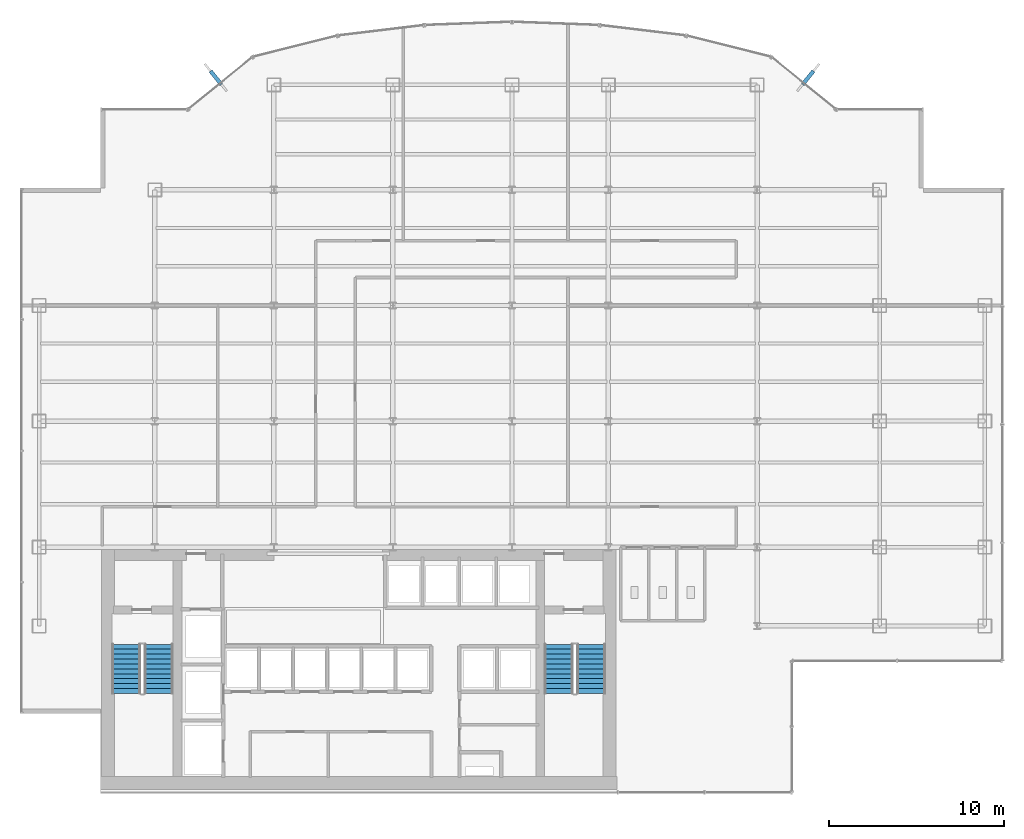
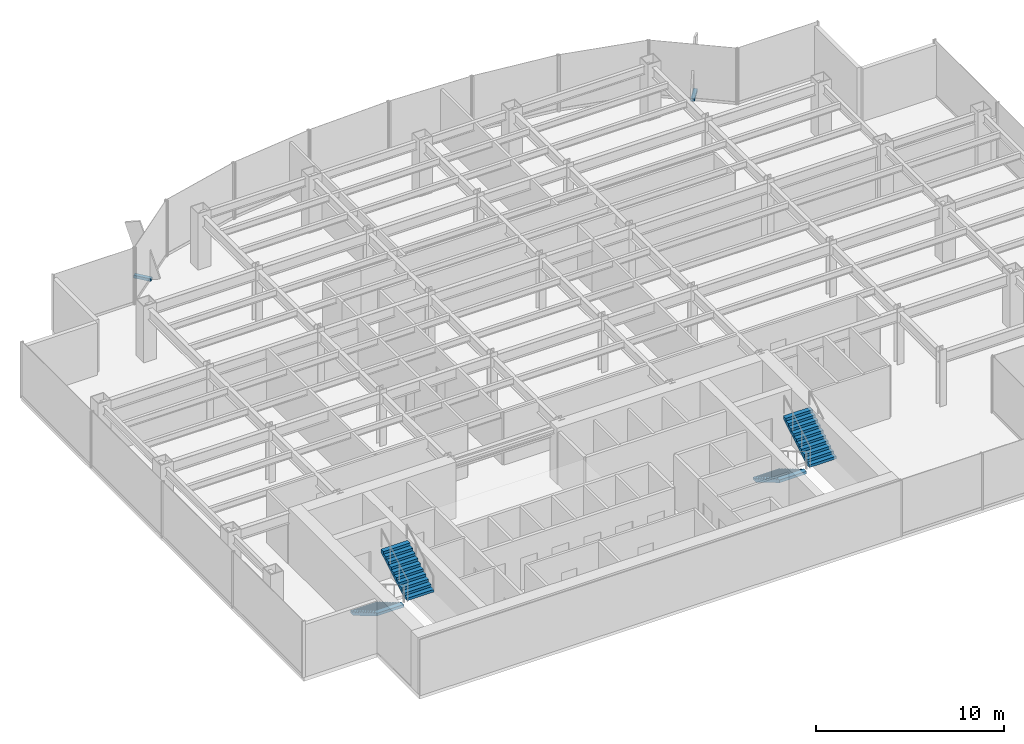
# One storey, part 23 of 26: 4 stair flights, 2 discrete accessories, 2 elements without a shape of their own.
"""IFC4 building model written with IfcOpenShell, lengths in metres."""

from ifc_helpers import new_model, si_unit, derived_unit, direction, frame, origin, origin_2d, place, context, subcontext, project, spatial, polyline, rectangle, outline, extrude, source, transform, mapped, material, type_object, element, aggregate, save


model = new_model("IFC4")

# Units and contexts
model_context = context("Model", 3, precision=1e-05, world=origin(), true_north=direction((0.0, 1.0)))
body_context = subcontext(model_context, "Body", "Model", "MODEL_VIEW")
ifc_project = project(units=[si_unit("LENGTHUNIT", "METRE"), si_unit("AREAUNIT", "SQUARE_METRE"), si_unit("VOLUMEUNIT", "CUBIC_METRE"), si_unit("PLANEANGLEUNIT", "RADIAN"), si_unit("MASSUNIT", "GRAM", prefix="KILO"), derived_unit("THERMALTRANSMITTANCEUNIT", [(si_unit("POWERUNIT", "WATT"), 1), (si_unit("LENGTHUNIT", "METRE"), -2), (si_unit("THERMODYNAMICTEMPERATUREUNIT", "KELVIN"), -1)])], contexts=[model_context])

# Site, building, storey
site_placement = place(None, origin())
site = spatial("IfcSite", under=ifc_project, at=site_placement, CompositionType="ELEMENT")
building_placement = place(site_placement, origin())
building = spatial("IfcBuilding", under=site, at=building_placement, Name="Skarnbrae Concourse Arena and Tower", CompositionType="ELEMENT")
storey_placement = place(building_placement, frame((0.0, 0.0, 110.550048828125)))
storey = spatial("IfcBuildingStorey", under=building, at=storey_placement, Name="L27", CompositionType="ELEMENT", Elevation=110.550048828125)

# Stair, stair flights
ifc_material_1 = material(Name="Concrete 40 MPa (C40/50)", Category="concrete")
stair_type = type_object("IfcStairType", Name="STAIR-DOGLEG-1650", PredefinedType="HALF_TURN_STAIR", material=ifc_material_1)
stair_1_placement = place(storey_placement, origin())
stair_1 = element("IfcStair", 1, at=stair_1_placement, inside=storey, type_object=stair_type, Name="L27 Protected Exit Stair ST-1", PredefinedType="HALF_TURN_STAIR")
stair_flight_type = type_object("IfcStairFlightType", Name="FLIGHT-STRAIGHT-1650", PredefinedType="STRAIGHT", material=ifc_material_1)
shared_shape_1 = source(origin(), body_context, "Body", "SweptSolid", [
    extrude(outline(polyline([(0.0, 0.0), (0.0, 0.166015625), (0.280029296875, 0.166015625), (0.280029296875, 0.331787109375), (0.56005859375, 0.331787109375), (0.56005859375, 0.497802734375), (0.840087890625, 0.497802734375), (0.840087890625, 0.66357421875), (1.1201171875, 0.66357421875), (1.1201171875, 0.82958984375), (1.39990234375, 0.82958984375), (1.39990234375, 0.995361328125), (1.679931640625, 0.995361328125), (1.679931640625, 1.161376953125), (1.9599609375, 1.161376953125), (1.9599609375, 1.327392578125), (2.239990234375, 1.327392578125), (2.239990234375, 1.4931640625), (2.52001953125, 1.4931640625), (2.52001953125, 1.6591796875), (2.800048828125, 1.6591796875), (2.800048828125, 1.824951171875), (2.800048828125, 1.48486328125), (0.2939453125, 0.0), (0.0, 0.0)])), frame((0.0, 0.824951171875, 0.0), z_axis=(0.0, -1.0, 0.0), x_axis=(1.0, 0.0, 0.0)), (0.0, 0.0, 1.0), 1.64990234375),
])
stair_flight_1_placement = place(storey_placement, frame((5.97509765625, 8.449951171875, 0.0), z_axis=(0.0, 0.0, 1.0), x_axis=(0.0, -1.0, 0.0)))
stair_flight_1 = element("IfcStairFlight", 2, at=stair_flight_1_placement, type_object=stair_flight_type, Name="ST-1 flight 1", NumberOfRisers=11, NumberOfTreads=10, PredefinedType="STRAIGHT", RiserHeight=0.165909091, TreadLength=0.28, context=body_context, shape_type="MappedRepresentation", body=[
    mapped(shared_shape_1, transform((0.0, 0.0, 0.0))),
])
stair_flight_2_placement = place(storey_placement, frame((7.824951171875, 5.64990234375, 1.824951171875), z_axis=(0.0, 0.0, 1.0), x_axis=(0.0, 1.0, 0.0)))
stair_flight_2 = element("IfcStairFlight", 3, at=stair_flight_2_placement, type_object=stair_flight_type, Name="ST-1 flight 2", NumberOfRisers=11, NumberOfTreads=10, PredefinedType="STRAIGHT", RiserHeight=0.165909091, TreadLength=0.28, context=body_context, shape_type="MappedRepresentation", body=[
    mapped(shared_shape_1, transform((0.0, 0.0, 0.0))),
])
aggregate(stair_1, [stair_flight_1, stair_flight_2])

stair_2_placement = place(storey_placement, origin())
stair_2 = element("IfcStair", 4, at=stair_2_placement, inside=storey, type_object=stair_type, Name="L27 Protected Exit Stair ST-2", PredefinedType="HALF_TURN_STAIR")
stair_flight_3_placement = place(storey_placement, frame((30.675048828125, 8.449951171875, 0.0), z_axis=(0.0, 0.0, 1.0), x_axis=(0.0, -1.0, 0.0)))
stair_flight_3 = element("IfcStairFlight", 5, at=stair_flight_3_placement, type_object=stair_flight_type, Name="ST-2 flight 1", NumberOfRisers=11, NumberOfTreads=10, PredefinedType="STRAIGHT", RiserHeight=0.165909091, TreadLength=0.28, context=body_context, shape_type="MappedRepresentation", body=[
    mapped(shared_shape_1, transform((0.0, 0.0, 0.0))),
])
stair_flight_4_placement = place(storey_placement, frame((32.52490234375, 5.64990234375, 1.824951171875), z_axis=(0.0, 0.0, 1.0), x_axis=(0.0, 1.0, 0.0)))
stair_flight_4 = element("IfcStairFlight", 6, at=stair_flight_4_placement, type_object=stair_flight_type, Name="ST-2 flight 2", NumberOfRisers=11, NumberOfTreads=10, PredefinedType="STRAIGHT", RiserHeight=0.165909091, TreadLength=0.28, context=body_context, shape_type="MappedRepresentation", body=[
    mapped(shared_shape_1, transform((0.0, 0.0, 0.0))),
])
aggregate(stair_2, [stair_flight_3, stair_flight_4])

# Discrete accessories
ifc_material_2 = material(Name="Bronze anodised aluminium 6063-T6", Category="aluminium")
discrete_accessory_type = type_object("IfcDiscreteAccessoryType", Name="ACC-FIN-BRACKET", PredefinedType="BRACKET", material=ifc_material_2)
shared_shape_2 = source(origin(), body_context, "Body", "SweptSolid", [
    extrude(rectangle(XDim=0.219970703125, YDim=0.97998046875, at=origin_2d()), origin(), (0.0, 0.0, 1.0), 0.179931640625),
])
for number, where, z_axis, x_axis, name in (
    (7, (44.90771484375, 40.80859375, -0.02978515625), (0.0, 0.0, 1.0), (0.776244501415, -0.630431974144, 0.0), "L27 Bronze fin foot support bracket 08"),
    (8, (11.09228515625, 40.80859375, -0.02978515625), (0.0, 0.0, 1.0), (0.776244501415, 0.630431974144, 0.0), "L27 Bronze fin foot support bracket 15"),
):
    element("IfcDiscreteAccessory", number, at=place(storey_placement, frame(where, z_axis=z_axis, x_axis=x_axis)), inside=storey, type_object=discrete_accessory_type, Name=name, PredefinedType="BRACKET", context=body_context, shape_type="MappedRepresentation", body=[
        mapped(shared_shape_2, transform((0.0, 0.0, 0.0))),
    ])

save(model, "model.ifc")
